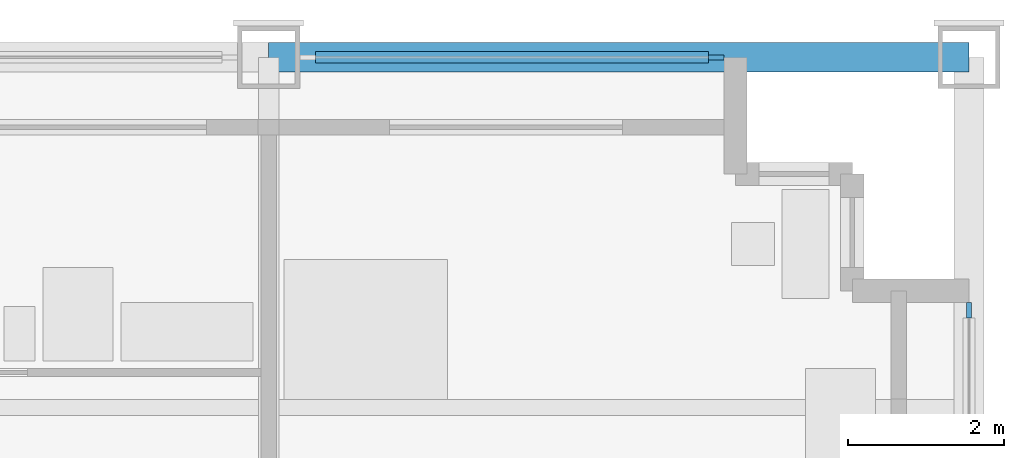
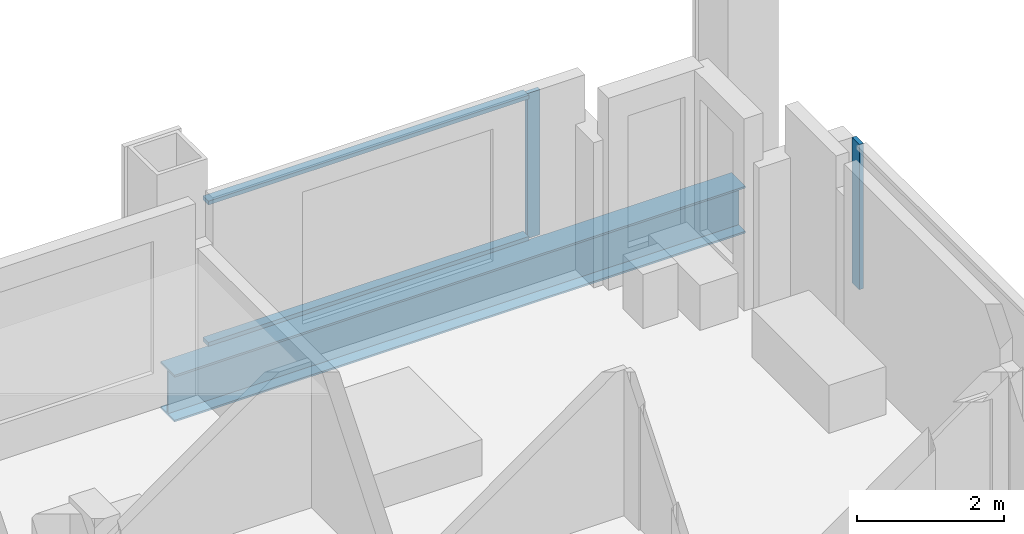
# One storey, part 7 of 16: 4 members, 1 beam, 2 elements without a shape of their own.
"""IFC4 building model written with IfcOpenShell, lengths in metres."""

import ifcopenshell
import ifcopenshell.guid

model = None  # the IFC model being written
_history = None  # IfcOwnerHistory: only IFC2X3 demands one
_inside = {}  # id of a spatial element -> (the spatial element, [elements in it])
_under = {}  # id of a project, library or spatial element -> (it, [spatial elements below it])
_declared = {}  # id of a project -> (the project, [libraries it declares])
_typed = {}  # id of a type object -> (the type object, [elements of that type])
_made_of = {}  # id of a material, layer set ... -> (it, [elements and type objects made of it])


def new_model(schema):
    """Start an empty IFC model of exactly this schema.

    Asked for "IFC4X3", IfcOpenShell would pick the latest addendum, in which some entities
    have other attributes; the version numbers below select the first issue.
    IFC2X3 requires an IfcOwnerHistory on every rooted entity: one is made here for all.
    """
    global model, _history
    if schema == "IFC4X3":
        model = ifcopenshell.file(schema_version=(4, 3, 0, 0))
    else:
        model = ifcopenshell.file(schema=schema)
    _inside.clear()
    _under.clear()
    _declared.clear()
    _typed.clear()
    _made_of.clear()
    _history = None
    if model.schema == "IFC2X3":
        org = make("IfcOrganization", Name="unknown")
        user = make(
            "IfcPersonAndOrganization",
            ThePerson=make("IfcPerson", FamilyName="unknown"),
            TheOrganization=org,
        )
        app = make(
            "IfcApplication",
            ApplicationDeveloper=org,
            Version="unknown",
            ApplicationFullName="unknown",
            ApplicationIdentifier="unknown",
        )
        _history = make(
            "IfcOwnerHistory",
            OwningUser=user,
            OwningApplication=app,
            ChangeAction="ADDED",
            CreationDate=0,
        )
    return model


def make(cls, **values):
    """One entity of the class cls with the attributes given. An attribute that is None is left unset."""
    return model.create_entity(
        cls, **{name: value for name, value in values.items() if value is not None}
    )


def rooted(cls, **values):
    """An entity with a GlobalId (a new one), such as an element, a storey or a relation."""
    return make(cls, GlobalId=ifcopenshell.guid.new(), OwnerHistory=_history, **values)


def si_unit(unit_type, name, prefix=None):
    """IfcSIUnit, for example si_unit("LENGTHUNIT", "METRE", prefix="MILLI")."""
    return make("IfcSIUnit", UnitType=unit_type, Prefix=prefix, Name=name)


def assignment(units):
    """IfcUnitAssignment: the units of a project."""
    return None if units is None else make("IfcUnitAssignment", Units=units)


def point(xyz):
    """IfcCartesianPoint."""
    return None if xyz is None else make("IfcCartesianPoint", Coordinates=xyz)


def direction(xyz):
    """IfcDirection."""
    return None if xyz is None else make("IfcDirection", DirectionRatios=xyz)


def frame(location, z_axis=None, x_axis=None):
    """IfcAxis2Placement3D, a coordinate frame: its origin and axes. An axis left out is left unset."""
    return make(
        "IfcAxis2Placement3D",
        Location=point(location),
        Axis=direction(z_axis),
        RefDirection=direction(x_axis),
    )


def frame_2d(location, x_axis=None):
    """IfcAxis2Placement2D, a coordinate frame in the plane: its origin and x axis."""
    return make(
        "IfcAxis2Placement2D", Location=point(location), RefDirection=direction(x_axis)
    )


def origin():
    """The frame at (0, 0, 0) with its axes left unset."""
    return frame((0.0, 0.0, 0.0))


def origin_2d():
    """The frame at (0, 0) in the plane with its x axis left unset."""
    return frame_2d((0.0, 0.0))


def place(relative_to, where):
    """IfcLocalPlacement: puts the frame where relative to a parent placement (None: the world)."""
    return make(
        "IfcLocalPlacement", PlacementRelTo=relative_to, RelativePlacement=where
    )


def context(
    kind, dimensions, precision=None, world=None, true_north=None, identifier=None
):
    """IfcGeometricRepresentationContext, for example the 3D "Model" context."""
    return make(
        "IfcGeometricRepresentationContext",
        ContextIdentifier=identifier,
        ContextType=kind,
        CoordinateSpaceDimension=dimensions,
        Precision=precision,
        WorldCoordinateSystem=world,
        TrueNorth=true_north,
    )


def subcontext(parent, identifier, kind, view, scale=None):
    """IfcGeometricRepresentationSubContext, for example "Body" below "Model"."""
    return make(
        "IfcGeometricRepresentationSubContext",
        ContextIdentifier=identifier,
        ContextType=kind,
        ParentContext=parent,
        TargetScale=scale,
        TargetView=view,
    )


def project(units=None, contexts=None):
    """IfcProject with its units and contexts."""
    return rooted(
        "IfcProject",
        Name="project",
        RepresentationContexts=contexts,
        UnitsInContext=assignment(units),
    )


def spatial(cls, under=None, at=None, **own):
    """A site, building, storey or space (cls), placed at a placement, below another one or the project."""
    s = rooted(cls, ObjectPlacement=at, **own)
    if under is not None:
        _under.setdefault(under.id(), (under, []))[1].append(s)
    return s


def profile(cls, at=None, kind="AREA", **sizes):
    """A parametric profile (cls). Its sizes go by their IFC names, for example OverallWidth=200.0."""
    return make(cls, ProfileType=kind, Position=at, **sizes)


def rectangle(**sizes):
    """IfcRectangleProfileDef."""
    return profile("IfcRectangleProfileDef", **sizes)


def i_section(**sizes):
    """IfcIShapeProfileDef."""
    return profile("IfcIShapeProfileDef", **sizes)


def extrude(swept, where, along, depth):
    """IfcExtrudedAreaSolid: the profile swept, set in the frame where, extruded along a direction by depth."""
    return make(
        "IfcExtrudedAreaSolid",
        SweptArea=swept,
        Position=where,
        ExtrudedDirection=direction(along),
        Depth=depth,
    )


def shape(context_of_items, identifier, shape_type, items):
    """IfcShapeRepresentation: the items that make up one representation, for example the "Body"."""
    return make(
        "IfcShapeRepresentation",
        ContextOfItems=context_of_items,
        RepresentationIdentifier=identifier,
        RepresentationType=shape_type,
        Items=items,
    )


def material(Name=None, Category=None):
    """IfcMaterial."""
    return make("IfcMaterial", Name=Name, Category=Category)


def material_profile(
    of_material, cross_section, Name=None, Category=None, Priority=None
):
    """IfcMaterialProfile: a cross section and its material."""
    return make(
        "IfcMaterialProfile",
        Name=Name,
        Material=of_material,
        Profile=cross_section,
        Priority=Priority,
        Category=Category,
    )


def profile_set(profiles, Name=None, composite=None):
    """IfcMaterialProfileSet."""
    return make(
        "IfcMaterialProfileSet",
        Name=Name,
        MaterialProfiles=profiles,
        CompositeProfile=composite,
    )


def made_of(thing, what):
    """Note that an element or type object is made of a material, layer set ...; save() writes the relation."""
    if what is not None:
        _made_of.setdefault(what.id(), (what, []))[1].append(thing)
    return thing


def type_object(cls, material=None, **own):
    """A type object (cls), such as IfcWallType, which elements share."""
    return made_of(rooted(cls, **own), material)


def element(
    cls,
    number,
    at=None,
    inside=None,
    cuts=None,
    type_object=None,
    material=None,
    context=None,
    identifier="Body",
    shape_type=None,
    held_by="IfcProductDefinitionShape",
    body=None,
    shapes=None,
    **own,
):
    """One element of the class cls, such as IfcWall. Its Tag is "e" and its number.

    at: its placement. inside: the storey or other place that contains it. cuts: it is an
    opening in that element (IfcRelVoidsElement). A single representation is given by context,
    identifier, shape_type and body (its items); several are given by shapes. held_by: the class
    of the entity that holds the representations. save() writes the other relations.
    """
    e = rooted(cls, Tag="e%d" % number, ObjectPlacement=at, **own)
    if body is not None:
        shapes = [shape(context, identifier, shape_type, body)]
    if shapes is not None:
        e.Representation = make(held_by, Representations=shapes)
    if inside is not None:
        _inside.setdefault(inside.id(), (inside, []))[1].append(e)
    if cuts is not None:
        rooted(
            "IfcRelVoidsElement", RelatingBuildingElement=cuts, RelatedOpeningElement=e
        )
    if type_object is not None:
        _typed.setdefault(type_object.id(), (type_object, []))[1].append(e)
    return made_of(e, material)


def aggregate(whole, parts):
    """IfcRelAggregates: a whole, such as a stair, and the parts it consists of."""
    return rooted("IfcRelAggregates", RelatingObject=whole, RelatedObjects=parts)


def save(model, path):
    """Write the relations noted so far, then the file.

    IfcRelAggregates (storeys below a building ...), IfcRelContainedInSpatialStructure (elements
    in a storey), IfcRelDefinesByType, IfcRelAssociatesMaterial and IfcRelDeclares: one each for
    every whole, place, type object, material and project.
    """
    for whole, parts in _under.values():
        aggregate(whole, parts)
    for where, things in _inside.values():
        rooted(
            "IfcRelContainedInSpatialStructure",
            RelatedElements=things,
            RelatingStructure=where,
        )
    for kind, things in _typed.values():
        rooted("IfcRelDefinesByType", RelatedObjects=things, RelatingType=kind)
    for what, things in _made_of.values():
        rooted("IfcRelAssociatesMaterial", RelatedObjects=things, RelatingMaterial=what)
    for by, libraries in _declared.values():
        rooted("IfcRelDeclares", RelatingContext=by, RelatedDefinitions=libraries)
    model.write(path)


model = new_model("IFC4")

# Units and contexts
model_context = context("Model", 3, precision=1e-05, world=origin(), true_north=direction((0.0, 1.0)))
body_context = subcontext(model_context, "Body", "Model", "MODEL_VIEW")
ifc_project = project(units=[si_unit("LENGTHUNIT", "METRE"), si_unit("AREAUNIT", "SQUARE_METRE"), si_unit("VOLUMEUNIT", "CUBIC_METRE"), si_unit("PLANEANGLEUNIT", "RADIAN"), si_unit("MASSUNIT", "GRAM", prefix="KILO")], contexts=[model_context])

# Site, building, storey
site_placement = place(None, origin())
site = spatial("IfcSite", under=ifc_project, at=site_placement, CompositionType="ELEMENT")
building_placement = place(site_placement, origin())
building = spatial("IfcBuilding", under=site, at=building_placement, Name="Loomwork Tower", CompositionType="ELEMENT")
storey_placement = place(building_placement, frame((0.0, 0.0, 131.60009765625)))
storey = spatial("IfcBuildingStorey", under=building, at=storey_placement, Name="L35", CompositionType="ELEMENT", Elevation=131.60009765625)

# Curtain wall, member
ifc_material_1 = material(Name="Aluminium curtain wall frame", Category="aluminium")
curtain_wall_type = type_object("IfcCurtainWallType", Name="Outer skin glazing hotel", PredefinedType="NOTDEFINED", material=ifc_material_1)
curtain_wall_1_placement = place(storey_placement, origin())
curtain_wall_1 = element("IfcCurtainWall", 1, at=curtain_wall_1_placement, inside=storey, type_object=curtain_wall_type, Name="Outer skin glazing hotel cw/N-36", PredefinedType="NOTDEFINED")
ifc_material_2 = material(Name="Aluminium curtain wall frame", Category="aluminium")
ifc_material_profile_1 = material_profile(ifc_material_2, rectangle(XDim=0.06494140625, YDim=0.199951171875, at=origin_2d()), Name="AL 65x200")
ifc_profile_set_1 = profile_set([ifc_material_profile_1], Name="Aluminium curtain wall frame")
member_type_1 = type_object("IfcMemberType", Name="Outer skin glazing hotel mullion", PredefinedType="MULLION", material=ifc_profile_set_1)
member_1_placement = place(storey_placement, frame((41.75, 36.0, 0.0), z_axis=(0.0, 0.0, 1.0), x_axis=(0.0, -1.0, 0.0)))
member_1 = element("IfcMember", 2, at=member_1_placement, type_object=member_type_1, Name="CW1 mullion 1", PredefinedType="MULLION", context=body_context, shape_type="SweptSolid", body=[
    extrude(rectangle(XDim=0.06494140625, YDim=0.199951171875, at=origin_2d()), origin(), (0.0, 0.0, 1.0), 2.420166015625),
])

curtain_wall_2_placement = place(storey_placement, origin())
curtain_wall_2 = element("IfcCurtainWall", 3, at=curtain_wall_2_placement, inside=storey, type_object=curtain_wall_type, Name="Outer skin glazing hotel cw/E-27", PredefinedType="NOTDEFINED")
member_2_placement = place(storey_placement, frame((45.0, 32.75, 0.0), z_axis=(0.0, 0.0, 1.0), x_axis=(-1.0, 0.0, 0.0)))
member_2 = element("IfcMember", 4, at=member_2_placement, type_object=member_type_1, Name="CW1 mullion 2", PredefinedType="MULLION", context=body_context, shape_type="SweptSolid", body=[
    extrude(rectangle(XDim=0.06494140625, YDim=0.199951171875, at=origin_2d()), origin(), (0.0, 0.0, 1.0), 2.420166015625),
])
aggregate(curtain_wall_2, [member_2])

# Member
ifc_material_3 = material(Name="Aluminium curtain wall frame", Category="aluminium")
ifc_material_profile_2 = material_profile(ifc_material_3, rectangle(XDim=0.14990234375, YDim=0.06494140625, at=origin_2d()), Name="AL 65x150")
ifc_profile_set_2 = profile_set([ifc_material_profile_2], Name="Aluminium curtain wall frame")
member_type_2 = type_object("IfcMemberType", Name="Outer skin glazing hotel transom", PredefinedType="USERDEFINED", material=ifc_profile_set_2)
member_3_placement = place(storey_placement, frame((41.64990234375, 36.0, 0.032470703125), z_axis=(-1.0, 0.0, 0.0), x_axis=(0.0, -1.0, 0.0)))
member_3 = element("IfcMember", 5, at=member_3_placement, type_object=member_type_2, Name="CW1 transom 1.1", ObjectType="TRANSOM", PredefinedType="USERDEFINED", context=body_context, shape_type="SweptSolid", body=[
    extrude(rectangle(XDim=0.14990234375, YDim=0.06494140625, at=origin_2d()), origin(), (0.0, 0.0, 1.0), 5.0498046875),
])

member_4_placement = place(storey_placement, frame((41.64990234375, 36.0, 2.3876953125), z_axis=(-1.0, 0.0, 0.0), x_axis=(0.0, -1.0, 0.0)))
member_4 = element("IfcMember", 6, at=member_4_placement, type_object=member_type_2, Name="CW1 transom 1.2", ObjectType="TRANSOM", PredefinedType="USERDEFINED", context=body_context, shape_type="SweptSolid", body=[
    extrude(rectangle(XDim=0.14990234375, YDim=0.06494140625, at=origin_2d()), origin(), (0.0, 0.0, 1.0), 5.0498046875),
])

aggregate(curtain_wall_1, [member_1, member_3, member_4])

# Beam
ifc_material_4 = material(Name="Steel ASTM A992", Category="steel")
ifc_material_profile_3 = material_profile(ifc_material_4, i_section(OverallWidth=0.381103515625, OverallDepth=0.77978515625, WebThickness=0.01806640625, FlangeThickness=0.0302734375, at=origin_2d()), Name="W30x191")
ifc_profile_set_3 = profile_set([ifc_material_profile_3], Name="Steel ASTM A992")
beam_type = type_object("IfcBeamType", Name="SPANDREL GIRDER W30x191", PredefinedType="SPANDREL", material=ifc_profile_set_3)
beam_placement = place(storey_placement, frame((36.0, 36.0, -0.590087890625), z_axis=(1.0, 0.0, 0.0), x_axis=(0.0, 1.0, 0.0)))
element("IfcBeam", 7, at=beam_placement, inside=storey, type_object=beam_type, Name="Spandrel Girder H/6-H/7 L35", PredefinedType="SPANDREL", context=body_context, shape_type="SweptSolid", body=[
    extrude(i_section(OverallWidth=0.381103515625, OverallDepth=0.77978515625, WebThickness=0.01806640625, FlangeThickness=0.0302734375, at=origin_2d()), origin(), (0.0, 0.0, 1.0), 9.0),
])

save(model, "model.ifc")
